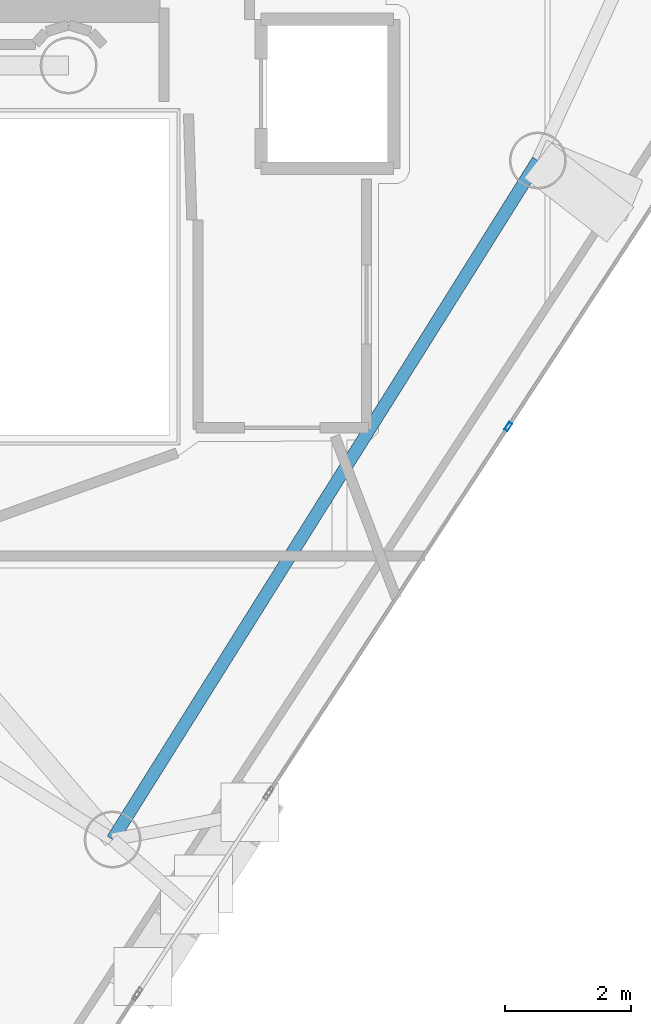
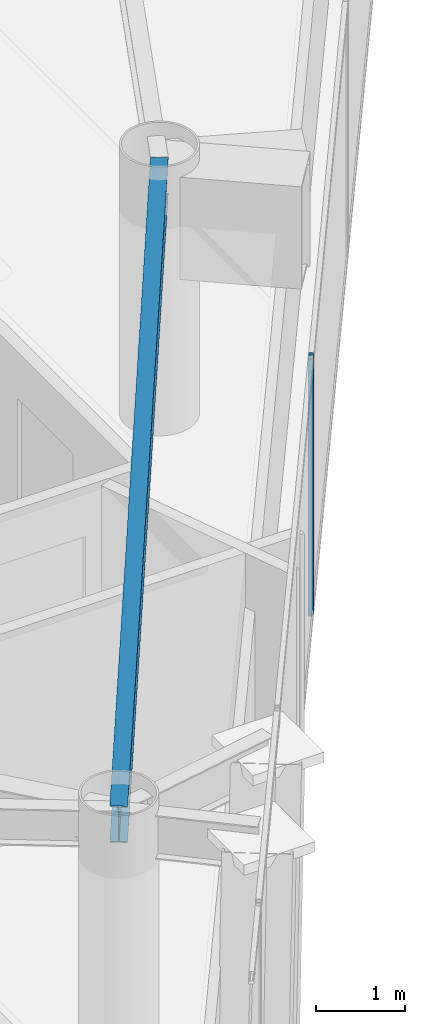
# One storey, part 6 of 25: 1 beam, 1 member, 1 element without a shape of its own.
"""IFC4 building model written with IfcOpenShell, lengths in metres."""

from ifc_helpers import new_model, si_unit, direction, frame, origin, origin_2d, place, context, subcontext, project, spatial, hollow_rectangle, i_section, extrude, material, layer, layer_set, material_profile, profile_set, type_object, element, aggregate, save


model = new_model("IFC4")

# Units and contexts
model_context = context("Model", 3, precision=1e-05, world=origin(), true_north=direction((0.0, 1.0)))
body_context = subcontext(model_context, "Body", "Model", "MODEL_VIEW")
ifc_project = project(units=[si_unit("LENGTHUNIT", "METRE"), si_unit("AREAUNIT", "SQUARE_METRE"), si_unit("VOLUMEUNIT", "CUBIC_METRE"), si_unit("PLANEANGLEUNIT", "RADIAN"), si_unit("MASSUNIT", "GRAM", prefix="KILO")], contexts=[model_context])

# Site, building, storey
site_placement = place(None, origin())
site = spatial("IfcSite", under=ifc_project, at=site_placement, CompositionType="ELEMENT")
building_placement = place(site_placement, origin())
building = spatial("IfcBuilding", under=site, at=building_placement, Name="Qianvela Tower", CompositionType="ELEMENT")
storey_placement = place(building_placement, frame((0.0, 0.0, 295.39990234375)))
storey = spatial("IfcBuildingStorey", under=building, at=storey_placement, Name="L76", CompositionType="ELEMENT", Elevation=295.39990234375)

# Beam
ifc_material_1 = material(Name="Steel Q355B", Category="steel")
ifc_material_profile_1 = material_profile(ifc_material_1, i_section(OverallWidth=0.199951171875, OverallDepth=0.5, WebThickness=0.010009765625, FlangeThickness=0.01611328125, at=origin_2d()), Name="HN500x200x10x16")
ifc_profile_set_1 = profile_set([ifc_material_profile_1], Name="Steel Q355B")
beam_type = type_object("IfcBeamType", Name="BM-HN500-GIRD", PredefinedType="BEAM", material=ifc_profile_set_1)
beam_placement = place(storey_placement, frame((39.095947265625, 11.587890625, 3.26806640625), z_axis=(0.530840654868, 0.847471650935, 0.0), x_axis=(-0.847471650935, 0.530840654868, 0.0)))
element("IfcBeam", 1, at=beam_placement, inside=storey, type_object=beam_type, Name="L76 Perimeter Ring Spandrel Girder 5", PredefinedType="BEAM", context=body_context, shape_type="SweptSolid", body=[
    extrude(i_section(OverallWidth=0.199951171875, OverallDepth=0.5, WebThickness=0.010009765625, FlangeThickness=0.01611328125, at=origin_2d()), origin(), (0.0, 0.0, 1.0), 12.693115234375),
])

# Curtain wall, member
ifc_material_2 = material(Name="Anodised Architectural Aluminium and Low-E Glass", Category="aluminium")
ifc_layer = layer(ifc_material_2, 0.14990234375)
ifc_layer_set = layer_set([ifc_layer], Name="Anodised Architectural Aluminium and Low-E Glass")
curtain_wall_type = type_object("IfcCurtainWallType", Name="CW-COLIV-Z78", PredefinedType="USERDEFINED", material=ifc_layer_set)
curtain_wall_placement = place(storey_placement, origin())
curtain_wall = element("IfcCurtainWall", 2, at=curtain_wall_placement, inside=storey, type_object=curtain_wall_type, Name="L76 CW-COLIV-Z78 Curtain Wall 06C", ObjectType="CURTAIN_WALL_SYSTEM", PredefinedType="USERDEFINED")
ifc_material_3 = material(Name="Anodised Architectural Aluminium 6063-T6", Category="aluminium")
ifc_material_profile_2 = material_profile(ifc_material_3, hollow_rectangle(XDim=0.06005859375, YDim=0.139892578125, WallThickness=0.00439453125, at=origin_2d()), Name="ALU-MULL-60x140")
ifc_profile_set_2 = profile_set([ifc_material_profile_2], Name="Anodised Architectural Aluminium 6063-T6")
member_type = type_object("IfcMemberType", Name="CW-COLIV-Z78-MULL", PredefinedType="MULLION", material=ifc_profile_set_2)
member_placement = place(storey_placement, frame((45.364501953125, 18.12841796875, 0.0), z_axis=(0.0, 0.0, 1.0), x_axis=(-0.837079522696, 0.547081230424, 0.0)))
member = element("IfcMember", 3, at=member_placement, type_object=member_type, Name="CW-6 mullion 2", PredefinedType="MULLION", context=body_context, shape_type="SweptSolid", body=[
    extrude(hollow_rectangle(XDim=0.06005859375, YDim=0.139892578125, WallThickness=0.00439453125, at=origin_2d()), origin(), (0.0, 0.0, 1.0), 3.52001953125),
])
aggregate(curtain_wall, [member])

save(model, "model.ifc")
